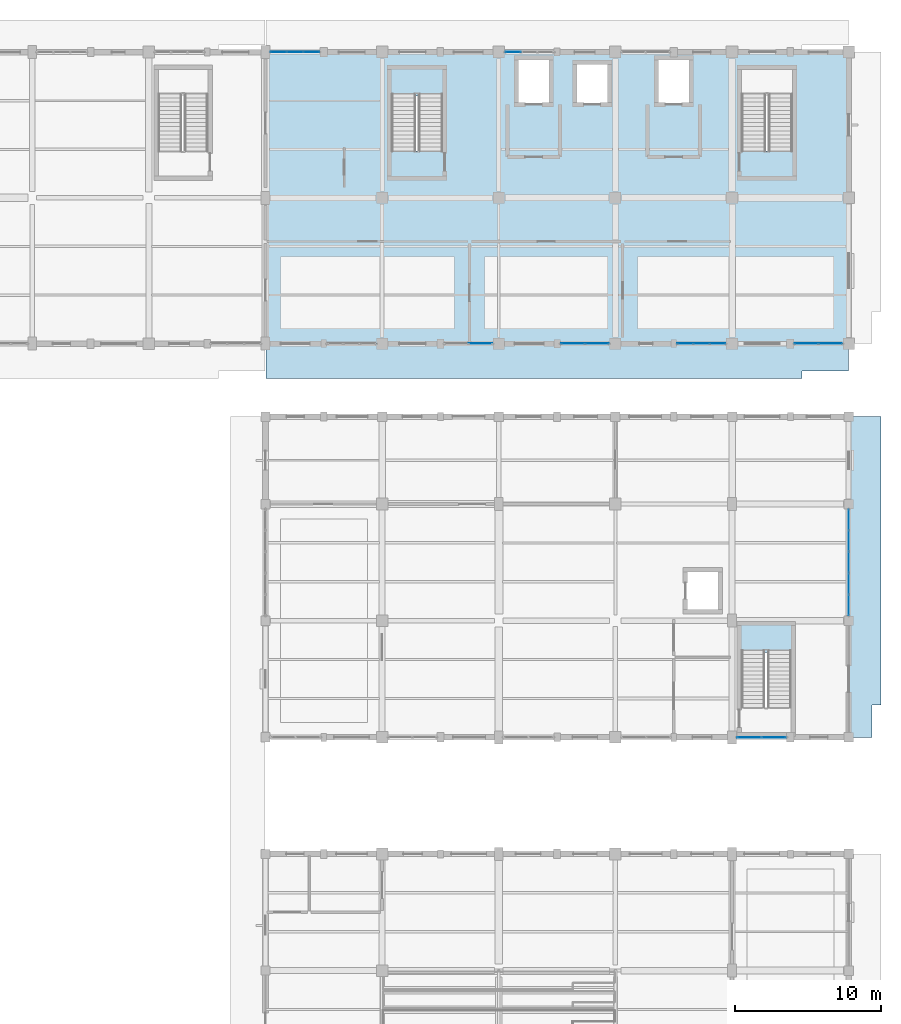
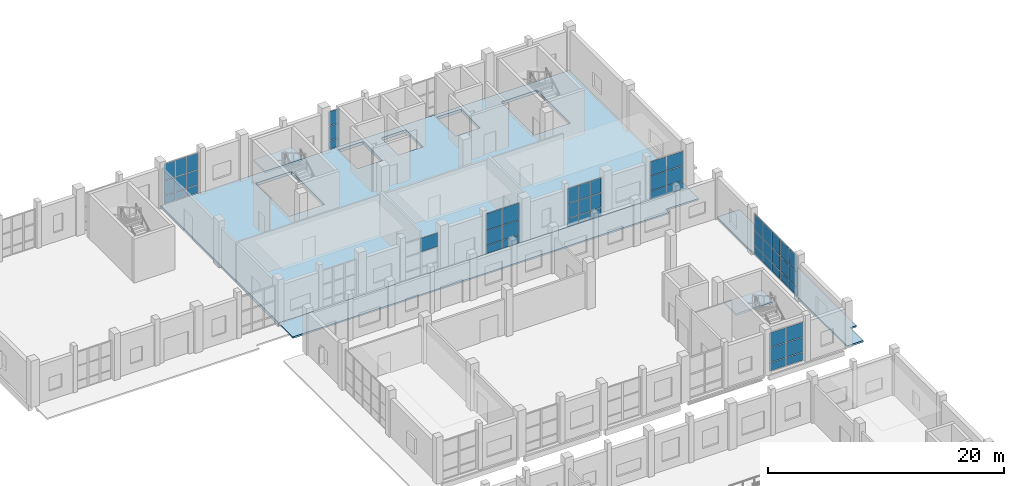
# One storey, part 118 of 156: 55 plates, 5 slabs, 10 elements without a shape of their own.
"""IFC4 building model written with IfcOpenShell, lengths in metres."""

import ifcopenshell
import ifcopenshell.guid

model = None  # the IFC model being written
_history = None  # IfcOwnerHistory: only IFC2X3 demands one
_inside = {}  # id of a spatial element -> (the spatial element, [elements in it])
_under = {}  # id of a project, library or spatial element -> (it, [spatial elements below it])
_declared = {}  # id of a project -> (the project, [libraries it declares])
_typed = {}  # id of a type object -> (the type object, [elements of that type])
_made_of = {}  # id of a material, layer set ... -> (it, [elements and type objects made of it])


def new_model(schema):
    """Start an empty IFC model of exactly this schema.

    Asked for "IFC4X3", IfcOpenShell would pick the latest addendum, in which some entities
    have other attributes; the version numbers below select the first issue.
    IFC2X3 requires an IfcOwnerHistory on every rooted entity: one is made here for all.
    """
    global model, _history
    if schema == "IFC4X3":
        model = ifcopenshell.file(schema_version=(4, 3, 0, 0))
    else:
        model = ifcopenshell.file(schema=schema)
    _inside.clear()
    _under.clear()
    _declared.clear()
    _typed.clear()
    _made_of.clear()
    _history = None
    if model.schema == "IFC2X3":
        org = make("IfcOrganization", Name="unknown")
        user = make(
            "IfcPersonAndOrganization",
            ThePerson=make("IfcPerson", FamilyName="unknown"),
            TheOrganization=org,
        )
        app = make(
            "IfcApplication",
            ApplicationDeveloper=org,
            Version="unknown",
            ApplicationFullName="unknown",
            ApplicationIdentifier="unknown",
        )
        _history = make(
            "IfcOwnerHistory",
            OwningUser=user,
            OwningApplication=app,
            ChangeAction="ADDED",
            CreationDate=0,
        )
    return model


def make(cls, **values):
    """One entity of the class cls with the attributes given. An attribute that is None is left unset."""
    return model.create_entity(
        cls, **{name: value for name, value in values.items() if value is not None}
    )


def rooted(cls, **values):
    """An entity with a GlobalId (a new one), such as an element, a storey or a relation."""
    return make(cls, GlobalId=ifcopenshell.guid.new(), OwnerHistory=_history, **values)


def si_unit(unit_type, name, prefix=None):
    """IfcSIUnit, for example si_unit("LENGTHUNIT", "METRE", prefix="MILLI")."""
    return make("IfcSIUnit", UnitType=unit_type, Prefix=prefix, Name=name)


def assignment(units):
    """IfcUnitAssignment: the units of a project."""
    return None if units is None else make("IfcUnitAssignment", Units=units)


def point(xyz):
    """IfcCartesianPoint."""
    return None if xyz is None else make("IfcCartesianPoint", Coordinates=xyz)


def direction(xyz):
    """IfcDirection."""
    return None if xyz is None else make("IfcDirection", DirectionRatios=xyz)


def frame(location, z_axis=None, x_axis=None):
    """IfcAxis2Placement3D, a coordinate frame: its origin and axes. An axis left out is left unset."""
    return make(
        "IfcAxis2Placement3D",
        Location=point(location),
        Axis=direction(z_axis),
        RefDirection=direction(x_axis),
    )


def frame_2d(location, x_axis=None):
    """IfcAxis2Placement2D, a coordinate frame in the plane: its origin and x axis."""
    return make(
        "IfcAxis2Placement2D", Location=point(location), RefDirection=direction(x_axis)
    )


def origin():
    """The frame at (0, 0, 0) with its axes left unset."""
    return frame((0.0, 0.0, 0.0))


def origin_2d():
    """The frame at (0, 0) in the plane with its x axis left unset."""
    return frame_2d((0.0, 0.0))


def place(relative_to, where):
    """IfcLocalPlacement: puts the frame where relative to a parent placement (None: the world)."""
    return make(
        "IfcLocalPlacement", PlacementRelTo=relative_to, RelativePlacement=where
    )


def context(
    kind, dimensions, precision=None, world=None, true_north=None, identifier=None
):
    """IfcGeometricRepresentationContext, for example the 3D "Model" context."""
    return make(
        "IfcGeometricRepresentationContext",
        ContextIdentifier=identifier,
        ContextType=kind,
        CoordinateSpaceDimension=dimensions,
        Precision=precision,
        WorldCoordinateSystem=world,
        TrueNorth=true_north,
    )


def subcontext(parent, identifier, kind, view, scale=None):
    """IfcGeometricRepresentationSubContext, for example "Body" below "Model"."""
    return make(
        "IfcGeometricRepresentationSubContext",
        ContextIdentifier=identifier,
        ContextType=kind,
        ParentContext=parent,
        TargetScale=scale,
        TargetView=view,
    )


def project(units=None, contexts=None):
    """IfcProject with its units and contexts."""
    return rooted(
        "IfcProject",
        Name="project",
        RepresentationContexts=contexts,
        UnitsInContext=assignment(units),
    )


def spatial(cls, under=None, at=None, **own):
    """A site, building, storey or space (cls), placed at a placement, below another one or the project."""
    s = rooted(cls, ObjectPlacement=at, **own)
    if under is not None:
        _under.setdefault(under.id(), (under, []))[1].append(s)
    return s


def polyline(points):
    """IfcPolyline through the points."""
    return make("IfcPolyline", Points=[point(p) for p in points])


def profile(cls, at=None, kind="AREA", **sizes):
    """A parametric profile (cls). Its sizes go by their IFC names, for example OverallWidth=200.0."""
    return make(cls, ProfileType=kind, Position=at, **sizes)


def rectangle(**sizes):
    """IfcRectangleProfileDef."""
    return profile("IfcRectangleProfileDef", **sizes)


def outline(outer, holes=None, kind="AREA"):
    """IfcArbitraryClosedProfileDef: a profile drawn as a closed curve; with holes, ...WithVoids."""
    if holes is None:
        return make("IfcArbitraryClosedProfileDef", ProfileType=kind, OuterCurve=outer)
    return make(
        "IfcArbitraryProfileDefWithVoids",
        ProfileType=kind,
        OuterCurve=outer,
        InnerCurves=holes,
    )


def extrude(swept, where, along, depth):
    """IfcExtrudedAreaSolid: the profile swept, set in the frame where, extruded along a direction by depth."""
    return make(
        "IfcExtrudedAreaSolid",
        SweptArea=swept,
        Position=where,
        ExtrudedDirection=direction(along),
        Depth=depth,
    )


def shape(context_of_items, identifier, shape_type, items):
    """IfcShapeRepresentation: the items that make up one representation, for example the "Body"."""
    return make(
        "IfcShapeRepresentation",
        ContextOfItems=context_of_items,
        RepresentationIdentifier=identifier,
        RepresentationType=shape_type,
        Items=items,
    )


def material(Name=None, Category=None):
    """IfcMaterial."""
    return make("IfcMaterial", Name=Name, Category=Category)


def layer(
    of_material, thickness, ventilated=None, Name=None, Category=None, Priority=None
):
    """IfcMaterialLayer: one layer of a wall or slab, of a material (None: an air gap)."""
    return make(
        "IfcMaterialLayer",
        Material=of_material,
        LayerThickness=thickness,
        IsVentilated=ventilated,
        Name=Name,
        Category=Category,
        Priority=Priority,
    )


def layer_set(layers, Name=None):
    """IfcMaterialLayerSet."""
    return make("IfcMaterialLayerSet", MaterialLayers=layers, LayerSetName=Name)


def made_of(thing, what):
    """Note that an element or type object is made of a material, layer set ...; save() writes the relation."""
    if what is not None:
        _made_of.setdefault(what.id(), (what, []))[1].append(thing)
    return thing


def type_object(cls, material=None, **own):
    """A type object (cls), such as IfcWallType, which elements share."""
    return made_of(rooted(cls, **own), material)


def element(
    cls,
    number,
    at=None,
    inside=None,
    cuts=None,
    type_object=None,
    material=None,
    context=None,
    identifier="Body",
    shape_type=None,
    held_by="IfcProductDefinitionShape",
    body=None,
    shapes=None,
    **own,
):
    """One element of the class cls, such as IfcWall. Its Tag is "e" and its number.

    at: its placement. inside: the storey or other place that contains it. cuts: it is an
    opening in that element (IfcRelVoidsElement). A single representation is given by context,
    identifier, shape_type and body (its items); several are given by shapes. held_by: the class
    of the entity that holds the representations. save() writes the other relations.
    """
    e = rooted(cls, Tag="e%d" % number, ObjectPlacement=at, **own)
    if body is not None:
        shapes = [shape(context, identifier, shape_type, body)]
    if shapes is not None:
        e.Representation = make(held_by, Representations=shapes)
    if inside is not None:
        _inside.setdefault(inside.id(), (inside, []))[1].append(e)
    if cuts is not None:
        rooted(
            "IfcRelVoidsElement", RelatingBuildingElement=cuts, RelatedOpeningElement=e
        )
    if type_object is not None:
        _typed.setdefault(type_object.id(), (type_object, []))[1].append(e)
    return made_of(e, material)


def aggregate(whole, parts):
    """IfcRelAggregates: a whole, such as a stair, and the parts it consists of."""
    return rooted("IfcRelAggregates", RelatingObject=whole, RelatedObjects=parts)


def save(model, path):
    """Write the relations noted so far, then the file.

    IfcRelAggregates (storeys below a building ...), IfcRelContainedInSpatialStructure (elements
    in a storey), IfcRelDefinesByType, IfcRelAssociatesMaterial and IfcRelDeclares: one each for
    every whole, place, type object, material and project.
    """
    for whole, parts in _under.values():
        aggregate(whole, parts)
    for where, things in _inside.values():
        rooted(
            "IfcRelContainedInSpatialStructure",
            RelatedElements=things,
            RelatingStructure=where,
        )
    for kind, things in _typed.values():
        rooted("IfcRelDefinesByType", RelatedObjects=things, RelatingType=kind)
    for what, things in _made_of.values():
        rooted("IfcRelAssociatesMaterial", RelatedObjects=things, RelatingMaterial=what)
    for by, libraries in _declared.values():
        rooted("IfcRelDeclares", RelatingContext=by, RelatedDefinitions=libraries)
    model.write(path)


model = new_model("IFC4")

# Units and contexts
model_context = context("Model", 3, precision=1e-05, world=origin(), true_north=direction((0.0, 1.0)))
body_context = subcontext(model_context, "Body", "Model", "MODEL_VIEW")
ifc_project = project(units=[si_unit("LENGTHUNIT", "METRE"), si_unit("AREAUNIT", "SQUARE_METRE"), si_unit("VOLUMEUNIT", "CUBIC_METRE"), si_unit("PLANEANGLEUNIT", "RADIAN"), si_unit("MASSUNIT", "GRAM", prefix="KILO")], contexts=[model_context])

# Site, building, storey
site_placement = place(None, origin())
site = spatial("IfcSite", under=ifc_project, at=site_placement, CompositionType="ELEMENT")
building_placement = place(site_placement, origin())
building = spatial("IfcBuilding", under=site, at=building_placement, Name="Luwemba Playhouse", CompositionType="ELEMENT")
storey_placement = place(building_placement, origin())
storey = spatial("IfcBuildingStorey", under=building, at=storey_placement, Name="L00", CompositionType="ELEMENT", Elevation=0.0)

# Curtain wall, plates
ifc_material_1 = material(Name="Solar-control double glazing", Category="glass")
curtain_wall_type_1 = type_object("IfcCurtainWallType", Name="CW-CW19", PredefinedType="USERDEFINED", material=ifc_material_1)
curtain_wall_1_placement = place(storey_placement, origin())
curtain_wall_1 = element("IfcCurtainWall", 1, at=curtain_wall_1_placement, inside=storey, type_object=curtain_wall_type_1, Name="L00 V4 unitised curtain wall 019", ObjectType="UNITISED GLAZING", PredefinedType="USERDEFINED")
ifc_layer_1 = layer(ifc_material_1, 0.02392578125)
ifc_layer_set_1 = layer_set([ifc_layer_1], Name="Solar-control double glazing")
plate_type_1 = type_object("IfcPlateType", Name="CWP-P1", PredefinedType="CURTAIN_PANEL", material=ifc_layer_set_1)
plate_1_placement = place(storey_placement, frame((172.0, 82.925048828125, 0.06005859375), z_axis=(0.0, 0.0, 1.0), x_axis=(0.0, -1.0, 0.0)))
plate_1 = element("IfcPlate", 2, at=plate_1_placement, type_object=plate_type_1, Name="CW19 panel 1.1", PredefinedType="CURTAIN_PANEL", context=body_context, shape_type="SweptSolid", body=[
    extrude(rectangle(XDim=1.3798828125, YDim=0.02392578125, at=origin_2d()), origin(), (0.0, 0.0, 1.0), 0.81005859375),
])
plate_2_placement = place(storey_placement, frame((172.0, 82.925048828125, 0.93017578125), z_axis=(0.0, 0.0, 1.0), x_axis=(0.0, -1.0, 0.0)))
plate_2 = element("IfcPlate", 3, at=plate_2_placement, type_object=plate_type_1, Name="CW19 panel 1.2", PredefinedType="CURTAIN_PANEL", context=body_context, shape_type="SweptSolid", body=[
    extrude(rectangle(XDim=1.3798828125, YDim=0.02392578125, at=origin_2d()), origin(), (0.0, 0.0, 1.0), 1.489990234375),
])
plate_3_placement = place(storey_placement, frame((172.0, 82.925048828125, 2.47998046875), z_axis=(0.0, 0.0, 1.0), x_axis=(0.0, -1.0, 0.0)))
plate_3 = element("IfcPlate", 4, at=plate_3_placement, type_object=plate_type_1, Name="CW19 panel 1.3", PredefinedType="CURTAIN_PANEL", context=body_context, shape_type="SweptSolid", body=[
    extrude(rectangle(XDim=1.3798828125, YDim=0.02392578125, at=origin_2d()), origin(), (0.0, 0.0, 1.0), 1.695068359375),
])
plate_4_placement = place(storey_placement, frame((172.0, 81.469970703125, 0.06005859375), z_axis=(0.0, 0.0, 1.0), x_axis=(0.0, -1.0, 0.0)))
plate_4 = element("IfcPlate", 5, at=plate_4_placement, type_object=plate_type_1, Name="CW19 panel 2.1", PredefinedType="CURTAIN_PANEL", context=body_context, shape_type="SweptSolid", body=[
    extrude(rectangle(XDim=1.409912109375, YDim=0.02392578125, at=origin_2d()), origin(), (0.0, 0.0, 1.0), 0.81005859375),
])
plate_5_placement = place(storey_placement, frame((172.0, 81.469970703125, 0.93017578125), z_axis=(0.0, 0.0, 1.0), x_axis=(0.0, -1.0, 0.0)))
plate_5 = element("IfcPlate", 6, at=plate_5_placement, type_object=plate_type_1, Name="CW19 panel 2.2", PredefinedType="CURTAIN_PANEL", context=body_context, shape_type="SweptSolid", body=[
    extrude(rectangle(XDim=1.409912109375, YDim=0.02392578125, at=origin_2d()), origin(), (0.0, 0.0, 1.0), 1.489990234375),
])
plate_6_placement = place(storey_placement, frame((172.0, 81.469970703125, 2.47998046875), z_axis=(0.0, 0.0, 1.0), x_axis=(0.0, -1.0, 0.0)))
plate_6 = element("IfcPlate", 7, at=plate_6_placement, type_object=plate_type_1, Name="CW19 panel 2.3", PredefinedType="CURTAIN_PANEL", context=body_context, shape_type="SweptSolid", body=[
    extrude(rectangle(XDim=1.409912109375, YDim=0.02392578125, at=origin_2d()), origin(), (0.0, 0.0, 1.0), 1.695068359375),
])
plate_7_placement = place(storey_placement, frame((172.0, 80.0, 0.06005859375), z_axis=(0.0, 0.0, 1.0), x_axis=(0.0, -1.0, 0.0)))
plate_7 = element("IfcPlate", 8, at=plate_7_placement, type_object=plate_type_1, Name="CW19 panel 3.1", PredefinedType="CURTAIN_PANEL", context=body_context, shape_type="SweptSolid", body=[
    extrude(rectangle(XDim=1.409912109375, YDim=0.02392578125, at=origin_2d()), origin(), (0.0, 0.0, 1.0), 0.81005859375),
])
plate_8_placement = place(storey_placement, frame((172.0, 80.0, 0.93017578125), z_axis=(0.0, 0.0, 1.0), x_axis=(0.0, -1.0, 0.0)))
plate_8 = element("IfcPlate", 9, at=plate_8_placement, type_object=plate_type_1, Name="CW19 panel 3.2", PredefinedType="CURTAIN_PANEL", context=body_context, shape_type="SweptSolid", body=[
    extrude(rectangle(XDim=1.409912109375, YDim=0.02392578125, at=origin_2d()), origin(), (0.0, 0.0, 1.0), 1.489990234375),
])
plate_9_placement = place(storey_placement, frame((172.0, 80.0, 2.47998046875), z_axis=(0.0, 0.0, 1.0), x_axis=(0.0, -1.0, 0.0)))
plate_9 = element("IfcPlate", 10, at=plate_9_placement, type_object=plate_type_1, Name="CW19 panel 3.3", PredefinedType="CURTAIN_PANEL", context=body_context, shape_type="SweptSolid", body=[
    extrude(rectangle(XDim=1.409912109375, YDim=0.02392578125, at=origin_2d()), origin(), (0.0, 0.0, 1.0), 1.695068359375),
])
plate_10_placement = place(storey_placement, frame((172.0, 78.530029296875, 0.06005859375), z_axis=(0.0, 0.0, 1.0), x_axis=(0.0, -1.0, 0.0)))
plate_10 = element("IfcPlate", 11, at=plate_10_placement, type_object=plate_type_1, Name="CW19 panel 4.1", PredefinedType="CURTAIN_PANEL", context=body_context, shape_type="SweptSolid", body=[
    extrude(rectangle(XDim=1.409912109375, YDim=0.02392578125, at=origin_2d()), origin(), (0.0, 0.0, 1.0), 0.81005859375),
])
plate_11_placement = place(storey_placement, frame((172.0, 78.530029296875, 0.93017578125), z_axis=(0.0, 0.0, 1.0), x_axis=(0.0, -1.0, 0.0)))
plate_11 = element("IfcPlate", 12, at=plate_11_placement, type_object=plate_type_1, Name="CW19 panel 4.2", PredefinedType="CURTAIN_PANEL", context=body_context, shape_type="SweptSolid", body=[
    extrude(rectangle(XDim=1.409912109375, YDim=0.02392578125, at=origin_2d()), origin(), (0.0, 0.0, 1.0), 1.489990234375),
])
plate_12_placement = place(storey_placement, frame((172.0, 78.530029296875, 2.47998046875), z_axis=(0.0, 0.0, 1.0), x_axis=(0.0, -1.0, 0.0)))
plate_12 = element("IfcPlate", 13, at=plate_12_placement, type_object=plate_type_1, Name="CW19 panel 4.3", PredefinedType="CURTAIN_PANEL", context=body_context, shape_type="SweptSolid", body=[
    extrude(rectangle(XDim=1.409912109375, YDim=0.02392578125, at=origin_2d()), origin(), (0.0, 0.0, 1.0), 1.695068359375),
])
plate_13_placement = place(storey_placement, frame((172.0, 77.074951171875, 0.06005859375), z_axis=(0.0, 0.0, 1.0), x_axis=(0.0, -1.0, 0.0)))
plate_13 = element("IfcPlate", 14, at=plate_13_placement, type_object=plate_type_1, Name="CW19 panel 5.1", PredefinedType="CURTAIN_PANEL", context=body_context, shape_type="SweptSolid", body=[
    extrude(rectangle(XDim=1.3798828125, YDim=0.02392578125, at=origin_2d()), origin(), (0.0, 0.0, 1.0), 0.81005859375),
])
plate_14_placement = place(storey_placement, frame((172.0, 77.074951171875, 0.93017578125), z_axis=(0.0, 0.0, 1.0), x_axis=(0.0, -1.0, 0.0)))
plate_14 = element("IfcPlate", 15, at=plate_14_placement, type_object=plate_type_1, Name="CW19 panel 5.2", PredefinedType="CURTAIN_PANEL", context=body_context, shape_type="SweptSolid", body=[
    extrude(rectangle(XDim=1.3798828125, YDim=0.02392578125, at=origin_2d()), origin(), (0.0, 0.0, 1.0), 1.489990234375),
])
plate_15_placement = place(storey_placement, frame((172.0, 77.074951171875, 2.47998046875), z_axis=(0.0, 0.0, 1.0), x_axis=(0.0, -1.0, 0.0)))
plate_15 = element("IfcPlate", 16, at=plate_15_placement, type_object=plate_type_1, Name="CW19 panel 5.3", PredefinedType="CURTAIN_PANEL", context=body_context, shape_type="SweptSolid", body=[
    extrude(rectangle(XDim=1.3798828125, YDim=0.02392578125, at=origin_2d()), origin(), (0.0, 0.0, 1.0), 1.695068359375),
])
aggregate(curtain_wall_1, [plate_1, plate_2, plate_3, plate_4, plate_5, plate_6, plate_7, plate_8, plate_9, plate_10, plate_11, plate_12, plate_13, plate_14, plate_15])

# Curtain wall, plate
curtain_wall_type_2 = type_object("IfcCurtainWallType", Name="CW-CW68", PredefinedType="USERDEFINED", material=ifc_material_1)
curtain_wall_2_placement = place(storey_placement, origin())
curtain_wall_2 = element("IfcCurtainWall", 17, at=curtain_wall_2_placement, inside=storey, type_object=curtain_wall_type_2, Name="L00 V6E unitised curtain wall 091", ObjectType="UNITISED GLAZING", PredefinedType="USERDEFINED")
plate_16_placement = place(storey_placement, frame((146.74755859375, 95.0, 2.47998046875), z_axis=(0.0, 0.0, 1.0), x_axis=(-1.0, 0.0, 0.0)))
plate_16 = element("IfcPlate", 18, at=plate_16_placement, type_object=plate_type_1, Name="CW68 panel 1.3", PredefinedType="CURTAIN_PANEL", context=body_context, shape_type="SweptSolid", body=[
    extrude(rectangle(XDim=1.5849609375, YDim=0.02392578125, at=origin_2d()), origin(), (0.0, 0.0, 1.0), 1.39501953125),
])
aggregate(curtain_wall_2, [plate_16])

# Curtain wall, plates
curtain_wall_type_3 = type_object("IfcCurtainWallType", Name="CW-CW12", PredefinedType="USERDEFINED", material=ifc_material_1)
curtain_wall_3_placement = place(storey_placement, origin())
curtain_wall_3 = element("IfcCurtainWall", 19, at=curtain_wall_3_placement, inside=storey, type_object=curtain_wall_type_3, Name="L00 V4 unitised curtain wall 020", ObjectType="UNITISED GLAZING", PredefinedType="USERDEFINED")
ifc_layer_2 = layer(ifc_material_1, 0.028076171875)
ifc_layer_set_2 = layer_set([ifc_layer_2], Name="Solar-control double glazing")
plate_type_2 = type_object("IfcPlateType", Name="CWP-P2", PredefinedType="CURTAIN_PANEL", material=ifc_layer_set_2)
plate_17_placement = place(storey_placement, frame((166.871337890625, 68.0, 0.05517578125), z_axis=(0.0, 0.0, 1.0), x_axis=(-1.0, 0.0, 0.0)))
plate_17 = element("IfcPlate", 20, at=plate_17_placement, type_object=plate_type_2, Name="CW12 panel 1.1", PredefinedType="CURTAIN_PANEL", context=body_context, shape_type="SweptSolid", body=[
    extrude(rectangle(XDim=1.62744140625, YDim=0.028076171875, at=origin_2d()), origin(), (0.0, 0.0, 1.0), 0.8173828125),
])
plate_18_placement = place(storey_placement, frame((166.871337890625, 68.0, 0.927490234375), z_axis=(0.0, 0.0, 1.0), x_axis=(-1.0, 0.0, 0.0)))
plate_18 = element("IfcPlate", 21, at=plate_18_placement, type_object=plate_type_2, Name="CW12 panel 1.2", PredefinedType="CURTAIN_PANEL", context=body_context, shape_type="SweptSolid", body=[
    extrude(rectangle(XDim=1.62744140625, YDim=0.028076171875, at=origin_2d()), origin(), (0.0, 0.0, 1.0), 1.4951171875),
])
plate_19_placement = place(storey_placement, frame((166.871337890625, 68.0, 2.4775390625), z_axis=(0.0, 0.0, 1.0), x_axis=(-1.0, 0.0, 0.0)))
plate_19 = element("IfcPlate", 22, at=plate_19_placement, type_object=plate_type_2, Name="CW12 panel 1.3", PredefinedType="CURTAIN_PANEL", context=body_context, shape_type="SweptSolid", body=[
    extrude(rectangle(XDim=1.62744140625, YDim=0.028076171875, at=origin_2d()), origin(), (0.0, 0.0, 1.0), 1.50244140625),
])
plate_20_placement = place(storey_placement, frame((165.1787109375, 68.0, 0.05517578125), z_axis=(0.0, 0.0, 1.0), x_axis=(-1.0, 0.0, 0.0)))
plate_20 = element("IfcPlate", 23, at=plate_20_placement, type_object=plate_type_2, Name="CW12 panel 2.1", PredefinedType="CURTAIN_PANEL", context=body_context, shape_type="SweptSolid", body=[
    extrude(rectangle(XDim=1.62744140625, YDim=0.028076171875, at=origin_2d()), origin(), (0.0, 0.0, 1.0), 0.8173828125),
])
plate_21_placement = place(storey_placement, frame((165.1787109375, 68.0, 0.927490234375), z_axis=(0.0, 0.0, 1.0), x_axis=(-1.0, 0.0, 0.0)))
plate_21 = element("IfcPlate", 24, at=plate_21_placement, type_object=plate_type_2, Name="CW12 panel 2.2", PredefinedType="CURTAIN_PANEL", context=body_context, shape_type="SweptSolid", body=[
    extrude(rectangle(XDim=1.62744140625, YDim=0.028076171875, at=origin_2d()), origin(), (0.0, 0.0, 1.0), 1.4951171875),
])
plate_22_placement = place(storey_placement, frame((165.1787109375, 68.0, 2.4775390625), z_axis=(0.0, 0.0, 1.0), x_axis=(-1.0, 0.0, 0.0)))
plate_22 = element("IfcPlate", 25, at=plate_22_placement, type_object=plate_type_2, Name="CW12 panel 2.3", PredefinedType="CURTAIN_PANEL", context=body_context, shape_type="SweptSolid", body=[
    extrude(rectangle(XDim=1.62744140625, YDim=0.028076171875, at=origin_2d()), origin(), (0.0, 0.0, 1.0), 1.50244140625),
])
aggregate(curtain_wall_3, [plate_17, plate_18, plate_19, plate_20, plate_21, plate_22])

curtain_wall_type_4 = type_object("IfcCurtainWallType", Name="CW-CW69", PredefinedType="USERDEFINED", material=ifc_material_1)
curtain_wall_4_placement = place(storey_placement, origin())
curtain_wall_4 = element("IfcCurtainWall", 26, at=curtain_wall_4_placement, inside=storey, type_object=curtain_wall_type_4, Name="L00 V6E unitised curtain wall 088", ObjectType="UNITISED GLAZING", PredefinedType="USERDEFINED")
plate_23_placement = place(storey_placement, frame((170.746337890625, 95.0, 0.05517578125), z_axis=(0.0, 0.0, 1.0), x_axis=(-1.0, 0.0, 0.0)))
plate_23 = element("IfcPlate", 27, at=plate_23_placement, type_object=plate_type_2, Name="CW69 panel 1.1", PredefinedType="CURTAIN_PANEL", context=body_context, shape_type="SweptSolid", body=[
    extrude(rectangle(XDim=1.577392578125, YDim=0.028076171875, at=origin_2d()), origin(), (0.0, 0.0, 1.0), 0.8173828125),
])
plate_24_placement = place(storey_placement, frame((170.746337890625, 95.0, 0.927490234375), z_axis=(0.0, 0.0, 1.0), x_axis=(-1.0, 0.0, 0.0)))
plate_24 = element("IfcPlate", 28, at=plate_24_placement, type_object=plate_type_2, Name="CW69 panel 1.2", PredefinedType="CURTAIN_PANEL", context=body_context, shape_type="SweptSolid", body=[
    extrude(rectangle(XDim=1.577392578125, YDim=0.028076171875, at=origin_2d()), origin(), (0.0, 0.0, 1.0), 1.4951171875),
])
plate_25_placement = place(storey_placement, frame((170.746337890625, 95.0, 2.4775390625), z_axis=(0.0, 0.0, 1.0), x_axis=(-1.0, 0.0, 0.0)))
plate_25 = element("IfcPlate", 29, at=plate_25_placement, type_object=plate_type_2, Name="CW69 panel 1.3", PredefinedType="CURTAIN_PANEL", context=body_context, shape_type="SweptSolid", body=[
    extrude(rectangle(XDim=1.577392578125, YDim=0.028076171875, at=origin_2d()), origin(), (0.0, 0.0, 1.0), 1.452392578125),
])
plate_26_placement = place(storey_placement, frame((169.103759765625, 95.0, 0.05517578125), z_axis=(0.0, 0.0, 1.0), x_axis=(-1.0, 0.0, 0.0)))
plate_26 = element("IfcPlate", 30, at=plate_26_placement, type_object=plate_type_2, Name="CW69 panel 2.1", PredefinedType="CURTAIN_PANEL", context=body_context, shape_type="SweptSolid", body=[
    extrude(rectangle(XDim=1.577392578125, YDim=0.028076171875, at=origin_2d()), origin(), (0.0, 0.0, 1.0), 0.8173828125),
])
plate_27_placement = place(storey_placement, frame((169.103759765625, 95.0, 0.927490234375), z_axis=(0.0, 0.0, 1.0), x_axis=(-1.0, 0.0, 0.0)))
plate_27 = element("IfcPlate", 31, at=plate_27_placement, type_object=plate_type_2, Name="CW69 panel 2.2", PredefinedType="CURTAIN_PANEL", context=body_context, shape_type="SweptSolid", body=[
    extrude(rectangle(XDim=1.577392578125, YDim=0.028076171875, at=origin_2d()), origin(), (0.0, 0.0, 1.0), 1.4951171875),
])
plate_28_placement = place(storey_placement, frame((169.103759765625, 95.0, 2.4775390625), z_axis=(0.0, 0.0, 1.0), x_axis=(-1.0, 0.0, 0.0)))
plate_28 = element("IfcPlate", 32, at=plate_28_placement, type_object=plate_type_2, Name="CW69 panel 2.3", PredefinedType="CURTAIN_PANEL", context=body_context, shape_type="SweptSolid", body=[
    extrude(rectangle(XDim=1.577392578125, YDim=0.028076171875, at=origin_2d()), origin(), (0.0, 0.0, 1.0), 1.452392578125),
])
aggregate(curtain_wall_4, [plate_23, plate_24, plate_25, plate_26, plate_27, plate_28])

curtain_wall_type_5 = type_object("IfcCurtainWallType", Name="CW-CW09", PredefinedType="USERDEFINED", material=ifc_material_1)
curtain_wall_5_placement = place(storey_placement, origin())
curtain_wall_5 = element("IfcCurtainWall", 33, at=curtain_wall_5_placement, inside=storey, type_object=curtain_wall_type_5, Name="L00 V6E unitised curtain wall 085", ObjectType="UNITISED GLAZING", PredefinedType="USERDEFINED")
ifc_layer_3 = layer(ifc_material_1, 0.031982421875)
ifc_layer_set_3 = layer_set([ifc_layer_3], Name="Solar-control double glazing")
plate_type_3 = type_object("IfcPlateType", Name="CWP-P3", PredefinedType="CURTAIN_PANEL", material=ifc_layer_set_3)
plate_29_placement = place(storey_placement, frame((132.888671875, 115.0, 0.06494140625), z_axis=(0.0, 0.0, 1.0), x_axis=(1.0, 0.0, 0.0)))
plate_29 = element("IfcPlate", 34, at=plate_29_placement, type_object=plate_type_3, Name="CW09 panel 1.1", PredefinedType="CURTAIN_PANEL", context=body_context, shape_type="SweptSolid", body=[
    extrude(rectangle(XDim=1.0673828125, YDim=0.031982421875, at=origin_2d()), origin(), (0.0, 0.0, 1.0), 0.802490234375),
])
plate_30_placement = place(storey_placement, frame((132.888671875, 115.0, 0.9326171875), z_axis=(0.0, 0.0, 1.0), x_axis=(1.0, 0.0, 0.0)))
plate_30 = element("IfcPlate", 35, at=plate_30_placement, type_object=plate_type_3, Name="CW09 panel 1.2", PredefinedType="CURTAIN_PANEL", context=body_context, shape_type="SweptSolid", body=[
    extrude(rectangle(XDim=1.0673828125, YDim=0.031982421875, at=origin_2d()), origin(), (0.0, 0.0, 1.0), 1.485107421875),
])
plate_31_placement = place(storey_placement, frame((132.888671875, 115.0, 2.482421875), z_axis=(0.0, 0.0, 1.0), x_axis=(1.0, 0.0, 0.0)))
plate_31 = element("IfcPlate", 36, at=plate_31_placement, type_object=plate_type_3, Name="CW09 panel 1.3", PredefinedType="CURTAIN_PANEL", context=body_context, shape_type="SweptSolid", body=[
    extrude(rectangle(XDim=1.0673828125, YDim=0.031982421875, at=origin_2d()), origin(), (0.0, 0.0, 1.0), 1.6875),
])
plate_32_placement = place(storey_placement, frame((134.02490234375, 115.0, 0.06494140625), z_axis=(0.0, 0.0, 1.0), x_axis=(1.0, 0.0, 0.0)))
plate_32 = element("IfcPlate", 37, at=plate_32_placement, type_object=plate_type_3, Name="CW09 panel 2.1", PredefinedType="CURTAIN_PANEL", context=body_context, shape_type="SweptSolid", body=[
    extrude(rectangle(XDim=1.094970703125, YDim=0.031982421875, at=origin_2d()), origin(), (0.0, 0.0, 1.0), 0.802490234375),
])
plate_33_placement = place(storey_placement, frame((134.02490234375, 115.0, 0.9326171875), z_axis=(0.0, 0.0, 1.0), x_axis=(1.0, 0.0, 0.0)))
plate_33 = element("IfcPlate", 38, at=plate_33_placement, type_object=plate_type_3, Name="CW09 panel 2.2", PredefinedType="CURTAIN_PANEL", context=body_context, shape_type="SweptSolid", body=[
    extrude(rectangle(XDim=1.094970703125, YDim=0.031982421875, at=origin_2d()), origin(), (0.0, 0.0, 1.0), 1.485107421875),
])
plate_34_placement = place(storey_placement, frame((134.02490234375, 115.0, 2.482421875), z_axis=(0.0, 0.0, 1.0), x_axis=(1.0, 0.0, 0.0)))
plate_34 = element("IfcPlate", 39, at=plate_34_placement, type_object=plate_type_3, Name="CW09 panel 2.3", PredefinedType="CURTAIN_PANEL", context=body_context, shape_type="SweptSolid", body=[
    extrude(rectangle(XDim=1.094970703125, YDim=0.031982421875, at=origin_2d()), origin(), (0.0, 0.0, 1.0), 1.6875),
])
plate_35_placement = place(storey_placement, frame((135.1611328125, 115.0, 0.06494140625), z_axis=(0.0, 0.0, 1.0), x_axis=(1.0, 0.0, 0.0)))
plate_35 = element("IfcPlate", 40, at=plate_35_placement, type_object=plate_type_3, Name="CW09 panel 3.1", PredefinedType="CURTAIN_PANEL", context=body_context, shape_type="SweptSolid", body=[
    extrude(rectangle(XDim=1.0673828125, YDim=0.031982421875, at=origin_2d()), origin(), (0.0, 0.0, 1.0), 0.802490234375),
])
plate_36_placement = place(storey_placement, frame((135.1611328125, 115.0, 0.9326171875), z_axis=(0.0, 0.0, 1.0), x_axis=(1.0, 0.0, 0.0)))
plate_36 = element("IfcPlate", 41, at=plate_36_placement, type_object=plate_type_3, Name="CW09 panel 3.2", PredefinedType="CURTAIN_PANEL", context=body_context, shape_type="SweptSolid", body=[
    extrude(rectangle(XDim=1.0673828125, YDim=0.031982421875, at=origin_2d()), origin(), (0.0, 0.0, 1.0), 1.485107421875),
])
plate_37_placement = place(storey_placement, frame((135.1611328125, 115.0, 2.482421875), z_axis=(0.0, 0.0, 1.0), x_axis=(1.0, 0.0, 0.0)))
plate_37 = element("IfcPlate", 42, at=plate_37_placement, type_object=plate_type_3, Name="CW09 panel 3.3", PredefinedType="CURTAIN_PANEL", context=body_context, shape_type="SweptSolid", body=[
    extrude(rectangle(XDim=1.0673828125, YDim=0.031982421875, at=origin_2d()), origin(), (0.0, 0.0, 1.0), 1.6875),
])
aggregate(curtain_wall_5, [plate_29, plate_30, plate_31, plate_32, plate_33, plate_34, plate_35, plate_36, plate_37])

curtain_wall_type_6 = type_object("IfcCurtainWallType", Name="CW-CW30", PredefinedType="USERDEFINED", material=ifc_material_1)
curtain_wall_6_placement = place(storey_placement, origin())
curtain_wall_6 = element("IfcCurtainWall", 43, at=curtain_wall_6_placement, inside=storey, type_object=curtain_wall_type_6, Name="L00 V6E unitised curtain wall 089", ObjectType="UNITISED GLAZING", PredefinedType="USERDEFINED")
plate_38_placement = place(storey_placement, frame((163.01953125, 95.0, 0.06494140625), z_axis=(0.0, 0.0, 1.0), x_axis=(-1.0, 0.0, 0.0)))
plate_38 = element("IfcPlate", 44, at=plate_38_placement, type_object=plate_type_3, Name="CW30 panel 1.1", PredefinedType="CURTAIN_PANEL", context=body_context, shape_type="SweptSolid", body=[
    extrude(rectangle(XDim=1.05078125, YDim=0.031982421875, at=origin_2d()), origin(), (0.0, 0.0, 1.0), 0.802490234375),
])
plate_39_placement = place(storey_placement, frame((163.01953125, 95.0, 0.9326171875), z_axis=(0.0, 0.0, 1.0), x_axis=(-1.0, 0.0, 0.0)))
plate_39 = element("IfcPlate", 45, at=plate_39_placement, type_object=plate_type_3, Name="CW30 panel 1.2", PredefinedType="CURTAIN_PANEL", context=body_context, shape_type="SweptSolid", body=[
    extrude(rectangle(XDim=1.05078125, YDim=0.031982421875, at=origin_2d()), origin(), (0.0, 0.0, 1.0), 1.485107421875),
])
plate_40_placement = place(storey_placement, frame((163.01953125, 95.0, 2.482421875), z_axis=(0.0, 0.0, 1.0), x_axis=(-1.0, 0.0, 0.0)))
plate_40 = element("IfcPlate", 46, at=plate_40_placement, type_object=plate_type_3, Name="CW30 panel 1.3", PredefinedType="CURTAIN_PANEL", context=body_context, shape_type="SweptSolid", body=[
    extrude(rectangle(XDim=1.05078125, YDim=0.031982421875, at=origin_2d()), origin(), (0.0, 0.0, 1.0), 1.487548828125),
])
plate_41_placement = place(storey_placement, frame((161.89990234375, 95.0, 0.06494140625), z_axis=(0.0, 0.0, 1.0), x_axis=(-1.0, 0.0, 0.0)))
plate_41 = element("IfcPlate", 47, at=plate_41_placement, type_object=plate_type_3, Name="CW30 panel 2.1", PredefinedType="CURTAIN_PANEL", context=body_context, shape_type="SweptSolid", body=[
    extrude(rectangle(XDim=1.078369140625, YDim=0.031982421875, at=origin_2d()), origin(), (0.0, 0.0, 1.0), 0.802490234375),
])
plate_42_placement = place(storey_placement, frame((161.89990234375, 95.0, 0.9326171875), z_axis=(0.0, 0.0, 1.0), x_axis=(-1.0, 0.0, 0.0)))
plate_42 = element("IfcPlate", 48, at=plate_42_placement, type_object=plate_type_3, Name="CW30 panel 2.2", PredefinedType="CURTAIN_PANEL", context=body_context, shape_type="SweptSolid", body=[
    extrude(rectangle(XDim=1.078369140625, YDim=0.031982421875, at=origin_2d()), origin(), (0.0, 0.0, 1.0), 1.485107421875),
])
plate_43_placement = place(storey_placement, frame((161.89990234375, 95.0, 2.482421875), z_axis=(0.0, 0.0, 1.0), x_axis=(-1.0, 0.0, 0.0)))
plate_43 = element("IfcPlate", 49, at=plate_43_placement, type_object=plate_type_3, Name="CW30 panel 2.3", PredefinedType="CURTAIN_PANEL", context=body_context, shape_type="SweptSolid", body=[
    extrude(rectangle(XDim=1.078369140625, YDim=0.031982421875, at=origin_2d()), origin(), (0.0, 0.0, 1.0), 1.487548828125),
])
plate_44_placement = place(storey_placement, frame((160.780517578125, 95.0, 0.06494140625), z_axis=(0.0, 0.0, 1.0), x_axis=(-1.0, 0.0, 0.0)))
plate_44 = element("IfcPlate", 50, at=plate_44_placement, type_object=plate_type_3, Name="CW30 panel 3.1", PredefinedType="CURTAIN_PANEL", context=body_context, shape_type="SweptSolid", body=[
    extrude(rectangle(XDim=1.05078125, YDim=0.031982421875, at=origin_2d()), origin(), (0.0, 0.0, 1.0), 0.802490234375),
])
plate_45_placement = place(storey_placement, frame((160.780517578125, 95.0, 0.9326171875), z_axis=(0.0, 0.0, 1.0), x_axis=(-1.0, 0.0, 0.0)))
plate_45 = element("IfcPlate", 51, at=plate_45_placement, type_object=plate_type_3, Name="CW30 panel 3.2", PredefinedType="CURTAIN_PANEL", context=body_context, shape_type="SweptSolid", body=[
    extrude(rectangle(XDim=1.05078125, YDim=0.031982421875, at=origin_2d()), origin(), (0.0, 0.0, 1.0), 1.485107421875),
])
plate_46_placement = place(storey_placement, frame((160.780517578125, 95.0, 2.482421875), z_axis=(0.0, 0.0, 1.0), x_axis=(-1.0, 0.0, 0.0)))
plate_46 = element("IfcPlate", 52, at=plate_46_placement, type_object=plate_type_3, Name="CW30 panel 3.3", PredefinedType="CURTAIN_PANEL", context=body_context, shape_type="SweptSolid", body=[
    extrude(rectangle(XDim=1.05078125, YDim=0.031982421875, at=origin_2d()), origin(), (0.0, 0.0, 1.0), 1.487548828125),
])
aggregate(curtain_wall_6, [plate_38, plate_39, plate_40, plate_41, plate_42, plate_43, plate_44, plate_45, plate_46])

curtain_wall_type_7 = type_object("IfcCurtainWallType", Name="CW-CW67", PredefinedType="USERDEFINED", material=ifc_material_1)
curtain_wall_7_placement = place(storey_placement, origin())
curtain_wall_7 = element("IfcCurtainWall", 53, at=curtain_wall_7_placement, inside=storey, type_object=curtain_wall_type_7, Name="L00 V6E unitised curtain wall 086", ObjectType="UNITISED GLAZING", PredefinedType="USERDEFINED")
ifc_layer_4 = layer(ifc_material_1, 0.035888671875)
ifc_layer_set_4 = layer_set([ifc_layer_4], Name="Solar-control double glazing")
plate_type_4 = type_object("IfcPlateType", Name="CWP-P4", PredefinedType="CURTAIN_PANEL", material=ifc_layer_set_4)
plate_47_placement = place(storey_placement, frame((148.984130859375, 115.0, 0.0498046875), z_axis=(0.0, 0.0, 1.0), x_axis=(1.0, 0.0, 0.0)))
plate_47 = element("IfcPlate", 54, at=plate_47_placement, type_object=plate_type_4, Name="CW67 panel 1.1", PredefinedType="CURTAIN_PANEL", context=body_context, shape_type="SweptSolid", body=[
    extrude(rectangle(XDim=1.0283203125, YDim=0.035888671875, at=origin_2d()), origin(), (0.0, 0.0, 1.0), 0.824951171875),
])
plate_48_placement = place(storey_placement, frame((148.984130859375, 115.0, 0.925048828125), z_axis=(0.0, 0.0, 1.0), x_axis=(1.0, 0.0, 0.0)))
plate_48 = element("IfcPlate", 55, at=plate_48_placement, type_object=plate_type_4, Name="CW67 panel 1.2", PredefinedType="CURTAIN_PANEL", context=body_context, shape_type="SweptSolid", body=[
    extrude(rectangle(XDim=1.0283203125, YDim=0.035888671875, at=origin_2d()), origin(), (0.0, 0.0, 1.0), 1.5),
])
plate_49_placement = place(storey_placement, frame((148.984130859375, 115.0, 2.47509765625), z_axis=(0.0, 0.0, 1.0), x_axis=(1.0, 0.0, 0.0)))
plate_49 = element("IfcPlate", 56, at=plate_49_placement, type_object=plate_type_4, Name="CW67 panel 1.3", PredefinedType="CURTAIN_PANEL", context=body_context, shape_type="SweptSolid", body=[
    extrude(rectangle(XDim=1.0283203125, YDim=0.035888671875, at=origin_2d()), origin(), (0.0, 0.0, 1.0), 1.4599609375),
])
aggregate(curtain_wall_7, [plate_47, plate_48, plate_49])

curtain_wall_type_8 = type_object("IfcCurtainWallType", Name="CW-CW70", PredefinedType="USERDEFINED", material=ifc_material_1)
curtain_wall_8_placement = place(storey_placement, origin())
curtain_wall_8 = element("IfcCurtainWall", 57, at=curtain_wall_8_placement, inside=storey, type_object=curtain_wall_type_8, Name="L00 V6E unitised curtain wall 090", ObjectType="UNITISED GLAZING", PredefinedType="USERDEFINED")
plate_50_placement = place(storey_placement, frame((154.73876953125, 95.0, 0.0498046875), z_axis=(0.0, 0.0, 1.0), x_axis=(-1.0, 0.0, 0.0)))
plate_50 = element("IfcPlate", 58, at=plate_50_placement, type_object=plate_type_4, Name="CW70 panel 1.1", PredefinedType="CURTAIN_PANEL", context=body_context, shape_type="SweptSolid", body=[
    extrude(rectangle(XDim=1.58251953125, YDim=0.035888671875, at=origin_2d()), origin(), (0.0, 0.0, 1.0), 0.824951171875),
])
plate_51_placement = place(storey_placement, frame((154.73876953125, 95.0, 0.925048828125), z_axis=(0.0, 0.0, 1.0), x_axis=(-1.0, 0.0, 0.0)))
plate_51 = element("IfcPlate", 59, at=plate_51_placement, type_object=plate_type_4, Name="CW70 panel 1.2", PredefinedType="CURTAIN_PANEL", context=body_context, shape_type="SweptSolid", body=[
    extrude(rectangle(XDim=1.58251953125, YDim=0.035888671875, at=origin_2d()), origin(), (0.0, 0.0, 1.0), 1.5),
])
plate_52_placement = place(storey_placement, frame((154.73876953125, 95.0, 2.47509765625), z_axis=(0.0, 0.0, 1.0), x_axis=(-1.0, 0.0, 0.0)))
plate_52 = element("IfcPlate", 60, at=plate_52_placement, type_object=plate_type_4, Name="CW70 panel 1.3", PredefinedType="CURTAIN_PANEL", context=body_context, shape_type="SweptSolid", body=[
    extrude(rectangle(XDim=1.58251953125, YDim=0.035888671875, at=origin_2d()), origin(), (0.0, 0.0, 1.0), 1.7099609375),
])
plate_53_placement = place(storey_placement, frame((153.086181640625, 95.0, 0.0498046875), z_axis=(0.0, 0.0, 1.0), x_axis=(-1.0, 0.0, 0.0)))
plate_53 = element("IfcPlate", 61, at=plate_53_placement, type_object=plate_type_4, Name="CW70 panel 2.1", PredefinedType="CURTAIN_PANEL", context=body_context, shape_type="SweptSolid", body=[
    extrude(rectangle(XDim=1.58251953125, YDim=0.035888671875, at=origin_2d()), origin(), (0.0, 0.0, 1.0), 0.824951171875),
])
plate_54_placement = place(storey_placement, frame((153.086181640625, 95.0, 0.925048828125), z_axis=(0.0, 0.0, 1.0), x_axis=(-1.0, 0.0, 0.0)))
plate_54 = element("IfcPlate", 62, at=plate_54_placement, type_object=plate_type_4, Name="CW70 panel 2.2", PredefinedType="CURTAIN_PANEL", context=body_context, shape_type="SweptSolid", body=[
    extrude(rectangle(XDim=1.58251953125, YDim=0.035888671875, at=origin_2d()), origin(), (0.0, 0.0, 1.0), 1.5),
])
plate_55_placement = place(storey_placement, frame((153.086181640625, 95.0, 2.47509765625), z_axis=(0.0, 0.0, 1.0), x_axis=(-1.0, 0.0, 0.0)))
plate_55 = element("IfcPlate", 63, at=plate_55_placement, type_object=plate_type_4, Name="CW70 panel 2.3", PredefinedType="CURTAIN_PANEL", context=body_context, shape_type="SweptSolid", body=[
    extrude(rectangle(XDim=1.58251953125, YDim=0.035888671875, at=origin_2d()), origin(), (0.0, 0.0, 1.0), 1.7099609375),
])
aggregate(curtain_wall_8, [plate_50, plate_51, plate_52, plate_53, plate_54, plate_55])

# Slab
ifc_material_2 = material(Name="Concrete C40/50", Category="concrete")
ifc_layer_5 = layer(ifc_material_2, 0.300048828125)
ifc_layer_set_5 = layer_set([ifc_layer_5], Name="Concrete C40/50")
slab_type_1 = type_object("IfcSlabType", Name="SLB-HVY-300", PredefinedType="FLOOR", material=ifc_layer_set_5)
slab_1_placement = place(storey_placement, frame((0.0, 0.0, -0.300048828125)))
element("IfcSlab", 64, at=slab_1_placement, inside=storey, type_object=slab_type_1, Name="L00 V6E structural floor slab", PredefinedType="FLOOR", context=body_context, shape_type="SweptSolid", body=[
    extrude(outline(polyline([(172.0, 115.0), (172.0, 95.0), (132.030029296875, 95.0), (132.030029296875, 115.0), (172.0, 115.0)]), holes=[polyline([(140.64990234375, 108.199951171875), (144.14990234375, 108.199951171875), (144.14990234375, 113.820068359375), (140.64990234375, 113.820068359375), (140.64990234375, 108.199951171875)]), polyline([(164.64990234375, 108.199951171875), (168.14990234375, 108.199951171875), (168.14990234375, 113.820068359375), (164.64990234375, 113.820068359375), (164.64990234375, 108.199951171875)]), polyline([(153.199951171875, 111.39990234375), (155.60009765625, 111.39990234375), (155.60009765625, 114.300048828125), (153.199951171875, 114.300048828125), (153.199951171875, 111.39990234375)]), polyline([(149.199951171875, 114.60009765625), (149.199951171875, 111.39990234375), (151.60009765625, 111.39990234375), (151.60009765625, 114.60009765625), (149.199951171875, 114.60009765625)]), polyline([(158.800048828125, 114.60009765625), (158.800048828125, 111.39990234375), (161.199951171875, 111.39990234375), (161.199951171875, 114.60009765625), (158.800048828125, 114.60009765625)])]), origin(), (0.0, 0.0, 1.0), 0.300048828125),
])

# Stair, slab
stair_type_1 = type_object("IfcStairType", Name="STR-DL-05", PredefinedType="HALF_TURN_STAIR", material=ifc_material_2)
stair_1_placement = place(storey_placement, origin())
stair_1 = element("IfcStair", 65, at=stair_1_placement, inside=storey, type_object=stair_type_1, Name="L00 Black-Box Firefighting Escape Stair", PredefinedType="HALF_TURN_STAIR")
ifc_layer_6 = layer(ifc_material_2, 0.215087890625)
ifc_layer_set_6 = layer_set([ifc_layer_6], Name="Concrete C40/50")
slab_type_2 = type_object("IfcSlabType", Name="SLB-LND-215", PredefinedType="LANDING", material=ifc_layer_set_6)
slab_2_placement = place(storey_placement, frame((0.0, 0.0, 2.199951171875)))
slab_2 = element("IfcSlab", 66, at=slab_2_placement, type_object=slab_type_2, Name="ST-07 landing 1", PredefinedType="LANDING", context=body_context, shape_type="SweptSolid", body=[
    extrude(outline(polyline([(168.18994140625, 73.820068359375), (164.510009765625, 73.820068359375), (164.510009765625, 75.800048828125), (168.18994140625, 75.800048828125), (168.18994140625, 73.820068359375)])), origin(), (0.0, 0.0, 1.0), 0.199951171875),
])
aggregate(stair_1, [slab_2])

stair_type_2 = type_object("IfcStairType", Name="STR-DL-03", PredefinedType="HALF_TURN_STAIR", material=ifc_material_2)
stair_2_placement = place(storey_placement, origin())
stair_2 = element("IfcStair", 67, at=stair_2_placement, inside=storey, type_object=stair_type_2, Name="L00 Conservatory Firefighting Escape Stair", PredefinedType="HALF_TURN_STAIR")
slab_3_placement = place(storey_placement, frame((0.0, 0.0, 2.199951171875)))
slab_3 = element("IfcSlab", 68, at=slab_3_placement, type_object=slab_type_2, Name="ST-09 landing 1", PredefinedType="LANDING", context=body_context, shape_type="SweptSolid", body=[
    extrude(outline(polyline([(144.2900390625, 111.97998046875), (140.510009765625, 111.97998046875), (140.510009765625, 113.9599609375), (144.2900390625, 113.9599609375), (144.2900390625, 111.97998046875)])), origin(), (0.0, 0.0, 1.0), 0.199951171875),
])
aggregate(stair_2, [slab_3])

# Slabs
ifc_material_3 = material(Name="Concrete C32/40", Category="concrete")
ifc_layer_7 = layer(ifc_material_3, 0.159912109375)
ifc_layer_set_7 = layer_set([ifc_layer_7], Name="Concrete C32/40")
slab_type_3 = type_object("IfcSlabType", Name="SLB-PAV-160", PredefinedType="USERDEFINED", material=ifc_layer_set_7)
slab_4_placement = place(storey_placement, frame((0.0, 0.0, -0.159912109375)))
element("IfcSlab", 69, at=slab_4_placement, inside=storey, type_object=slab_type_3, Name="L00 external civic plaza paving PAV-EAST-V4", ObjectType="PAVING", PredefinedType="USERDEFINED", context=body_context, shape_type="SweptSolid", body=[
    extrude(outline(polyline([(172.0, 68.0), (173.60009765625, 68.0), (173.60009765625, 70.199951171875), (174.199951171875, 70.199951171875), (174.199951171875, 90.0), (172.0, 90.0), (172.0, 68.0)])), origin(), (0.0, 0.0, 1.0), 0.159912109375),
])
slab_5_placement = place(storey_placement, frame((0.0, 0.0, -0.159912109375)))
element("IfcSlab", 70, at=slab_5_placement, inside=storey, type_object=slab_type_3, Name="L00 external civic plaza paving PAV-CLN-E", ObjectType="PAVING", PredefinedType="USERDEFINED", context=body_context, shape_type="SweptSolid", body=[
    extrude(outline(polyline([(132.030029296875, 92.60009765625), (168.800048828125, 92.60009765625), (168.800048828125, 93.1298828125), (172.0, 93.1298828125), (172.0, 95.0), (132.030029296875, 95.0), (132.030029296875, 92.60009765625)])), origin(), (0.0, 0.0, 1.0), 0.159912109375),
])

save(model, "model.ifc")
